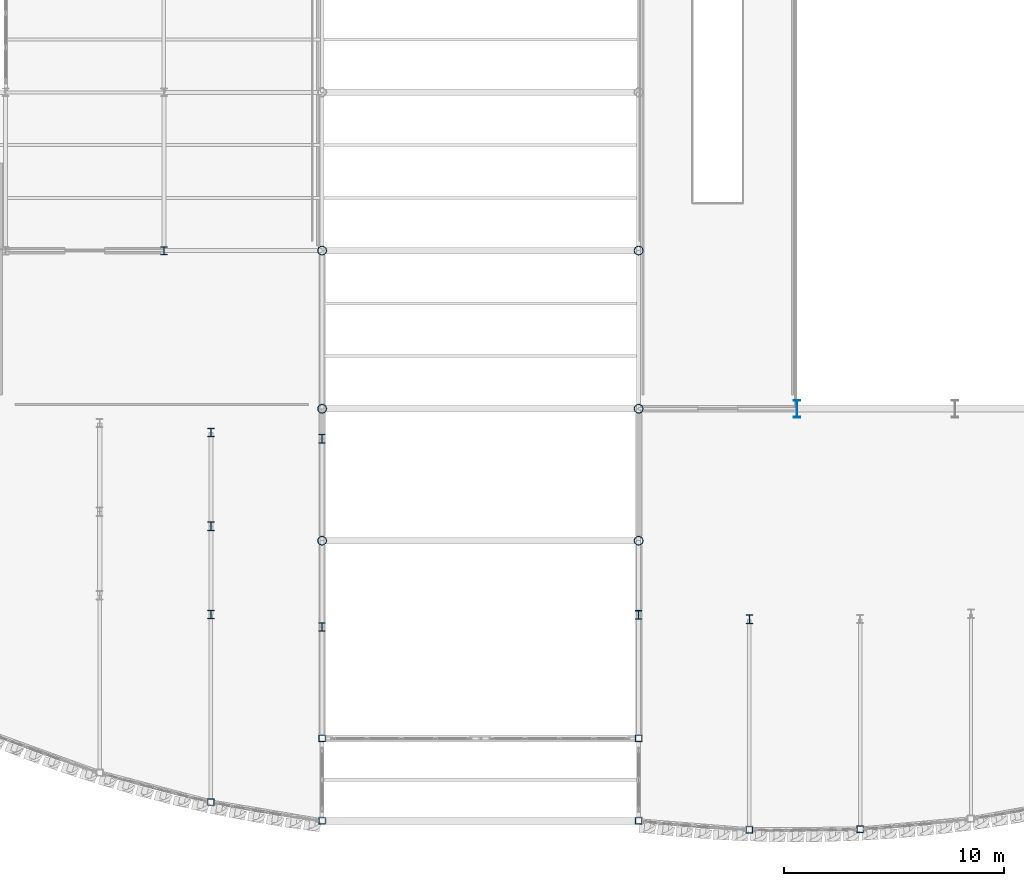
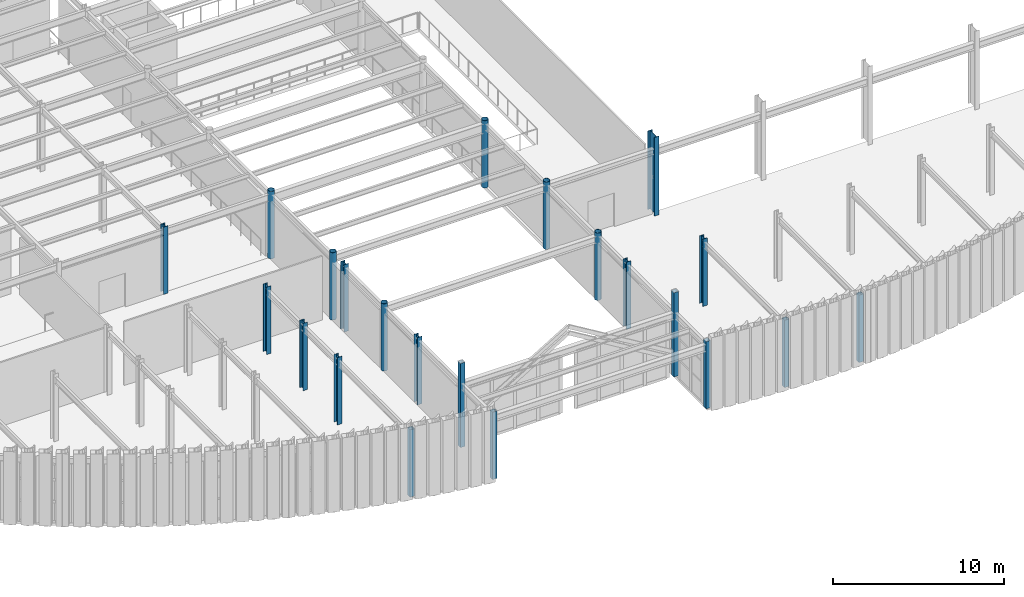
# One storey, part 4 of 126: 22 columns.
"""IFC4 building model written with IfcOpenShell, lengths in metres."""

from ifc_helpers import new_model, si_unit, direction, frame, origin, origin_2d, place, context, subcontext, project, spatial, hollow_rectangle, hollow_circle, i_section, extrude, material, material_profile, profile_set, type_object, element, save


model = new_model("IFC4")

# Units and contexts
model_context = context("Model", 3, precision=1e-05, world=origin(), true_north=direction((0.0, 1.0)))
body_context = subcontext(model_context, "Body", "Model", "MODEL_VIEW")
ifc_project = project(units=[si_unit("LENGTHUNIT", "METRE"), si_unit("AREAUNIT", "SQUARE_METRE"), si_unit("VOLUMEUNIT", "CUBIC_METRE"), si_unit("PLANEANGLEUNIT", "RADIAN"), si_unit("MASSUNIT", "GRAM", prefix="KILO")], contexts=[model_context])

# Site, building, storey
site_placement = place(None, origin())
site = spatial("IfcSite", under=ifc_project, at=site_placement, CompositionType="ELEMENT")
building_placement = place(site_placement, origin())
building = spatial("IfcBuilding", under=site, at=building_placement, Name="Solvadek Multi-Sports Hall", CompositionType="ELEMENT")
storey_placement = place(building_placement, frame((0.0, 0.0, 9.60009765625)))
storey = spatial("IfcBuildingStorey", under=building, at=storey_placement, Name="L02", CompositionType="ELEMENT", Elevation=9.60009765625)

# Columns
ifc_material = material(Name="Steel E350 (350 MPa)", Category="steel")
ifc_material_profile_1 = material_profile(ifc_material, hollow_circle(Radius=0.203125, WallThickness=0.01611328125, at=origin_2d()), Name="CHS 406.4x16")
ifc_profile_set_1 = profile_set([ifc_material_profile_1], Name="Steel E350 (350 MPa)")
column_type_1 = type_object("IfcColumnType", Name="STR-COL-CHS406", PredefinedType="COLUMN", material=ifc_profile_set_1)
for number, where, z_axis, x_axis, name in (
    (1, (72.0, 0.0, 0.0), (0.0, 0.0, 1.0), (1.0, 0.0, 0.0), "L02 Column C-11 #144"),
    (2, (72.0, 6.0, 0.0), (0.0, 0.0, 1.0), (1.0, 0.0, 0.0), "L02 Column C-11 #145"),
    (3, (72.0, 13.199951171875, 0.0), (0.0, 0.0, 1.0), (1.0, 0.0, 0.0), "L02 Column C-11 #146"),
    (4, (86.39990234375, 0.0, 0.0), (0.0, 0.0, 1.0), (1.0, 0.0, 0.0), "L02 Column C-11 #174"),
    (5, (86.39990234375, 6.0, 0.0), (0.0, 0.0, 1.0), (1.0, 0.0, 0.0), "L02 Column C-11 #175"),
    (6, (86.39990234375, 13.199951171875, 0.0), (0.0, 0.0, 1.0), (1.0, 0.0, 0.0), "L02 Column C-11 #176"),
):
    element("IfcColumn", number, at=place(storey_placement, frame(where, z_axis=z_axis, x_axis=x_axis)), inside=storey, type_object=column_type_1, Name=name, PredefinedType="COLUMN", context=body_context, shape_type="SweptSolid", body=[
        extrude(hollow_circle(Radius=0.203125, WallThickness=0.01611328125, at=origin_2d()), origin(), (0.0, 0.0, 1.0), 4.7998046875),
    ])
ifc_material_profile_2 = material_profile(ifc_material, hollow_rectangle(XDim=0.300048828125, YDim=0.300048828125, WallThickness=0.012451171875, at=origin_2d()), Name="SHS 300x300x12.5")
ifc_profile_set_2 = profile_set([ifc_material_profile_2], Name="Steel E350 (350 MPa)")
column_type_2 = type_object("IfcColumnType", Name="STR-COL-SHS300", PredefinedType="COLUMN", material=ifc_profile_set_2)
for number, where, z_axis, x_axis, name in (
    (7, (66.939453125, -11.893798828125, 0.0), (0.0, 0.0, 1.0), (1.0, 0.0, 0.0), "L02 Column C-10 #283"),
    (8, (72.0, -12.7529296875, 0.0), (0.0, 0.0, 1.0), (1.0, 0.0, 0.0), "L02 Column C-10 #287"),
    (9, (86.39990234375, -12.7529296875, 0.0), (0.0, 0.0, 1.0), (1.0, 0.0, 0.0), "L02 Column C-10 #290"),
    (10, (91.43994140625, -13.159912109375, 0.0), (0.0, 0.0, 1.0), (1.0, 0.0, 0.0), "L02 Column C-10 #292"),
    (11, (96.47998046875, -13.128662109375, 0.0), (0.0, 0.0, 1.0), (1.0, 0.0, 0.0), "L02 Column C-10 #294"),
):
    element("IfcColumn", number, at=place(storey_placement, frame(where, z_axis=z_axis, x_axis=x_axis)), inside=storey, type_object=column_type_2, Name=name, PredefinedType="COLUMN", context=body_context, shape_type="SweptSolid", body=[
        extrude(hollow_rectangle(XDim=0.300048828125, YDim=0.300048828125, WallThickness=0.012451171875, at=origin_2d()), origin(), (0.0, 0.0, 1.0), 4.7998046875),
    ])
for number, where, z_axis, x_axis, name in (
    (12, (72.0, -9.0, 0.0), (0.0, 0.0, 1.0), (1.0, 0.0, 0.0), "L02 Column C-10 #309"),
    (13, (86.39990234375, -9.0, 0.0), (0.0, 0.0, 1.0), (1.0, 0.0, 0.0), "L02 Column C-10 #311"),
):
    element("IfcColumn", number, at=place(storey_placement, frame(where, z_axis=z_axis, x_axis=x_axis)), inside=storey, type_object=column_type_2, Name=name, PredefinedType="COLUMN", context=body_context, shape_type="SweptSolid", body=[
        extrude(hollow_rectangle(XDim=0.300048828125, YDim=0.300048828125, WallThickness=0.012451171875, at=origin_2d()), origin(), (0.0, 0.0, 1.0), 6.0),
    ])
ifc_material_profile_3 = material_profile(ifc_material, i_section(OverallWidth=0.300048828125, OverallDepth=0.360107421875, WebThickness=0.012451171875, FlangeThickness=0.0224609375, at=origin_2d()), Name="WPB 360")
ifc_profile_set_3 = profile_set([ifc_material_profile_3], Name="Steel E350 (350 MPa)")
column_type_3 = type_object("IfcColumnType", Name="STR-COL-WPB360", PredefinedType="COLUMN", material=ifc_profile_set_3)
column_1_placement = place(storey_placement, frame((64.800048828125, 13.199951171875, 0.0), z_axis=(0.0, 0.0, 1.0), x_axis=(1.0, 0.0, 0.0)))
element("IfcColumn", 14, at=column_1_placement, inside=storey, type_object=column_type_3, Name="L02 Column C-08 #131", PredefinedType="COLUMN", context=body_context, shape_type="SweptSolid", body=[
    extrude(i_section(OverallWidth=0.300048828125, OverallDepth=0.360107421875, WebThickness=0.012451171875, FlangeThickness=0.0224609375, at=origin_2d()), origin(), (0.0, 0.0, 1.0), 4.7998046875),
])
ifc_material_profile_4 = material_profile(ifc_material, i_section(OverallWidth=0.300048828125, OverallDepth=0.39990234375, WebThickness=0.013427734375, FlangeThickness=0.02392578125, at=origin_2d()), Name="WPB 400")
ifc_profile_set_4 = profile_set([ifc_material_profile_4], Name="Steel E350 (350 MPa)")
column_type_4 = type_object("IfcColumnType", Name="STR-COL-WPB400", PredefinedType="COLUMN", material=ifc_profile_set_4)
for number, where, z_axis, x_axis, name in (
    (15, (66.939453125, 0.653076171875, 0.0), (0.0, 0.0, 1.0), (1.0, 0.0, 0.0), "L02 Column C-07 #284"),
    (16, (66.939453125, -3.362060546875, 0.0), (0.0, 0.0, 1.0), (1.0, 0.0, 0.0), "L02 Column C-07 #285"),
    (17, (66.939453125, 4.9189453125, 0.0), (0.0, 0.0, 1.0), (1.0, 0.0, 0.0), "L02 Column C-07 #286"),
    (18, (72.0, -3.928955078125, 0.0), (0.0, 0.0, 1.0), (1.0, 0.0, 0.0), "L02 Column C-07 #288"),
    (19, (72.0, 4.635498046875, 0.0), (0.0, 0.0, 1.0), (1.0, 0.0, 0.0), "L02 Column C-07 #289"),
    (20, (86.39990234375, -3.37646484375, 0.0), (0.0, 0.0, 1.0), (1.0, 0.0, 0.0), "L02 Column C-07 #291"),
    (21, (91.43994140625, -3.580078125, 0.0), (0.0, 0.0, 1.0), (1.0, 0.0, 0.0), "L02 Column C-07 #293"),
):
    element("IfcColumn", number, at=place(storey_placement, frame(where, z_axis=z_axis, x_axis=x_axis)), inside=storey, type_object=column_type_4, Name=name, PredefinedType="COLUMN", context=body_context, shape_type="SweptSolid", body=[
        extrude(i_section(OverallWidth=0.300048828125, OverallDepth=0.39990234375, WebThickness=0.013427734375, FlangeThickness=0.02392578125, at=origin_2d()), origin(), (0.0, 0.0, 1.0), 4.7998046875),
    ])
ifc_material_profile_5 = material_profile(ifc_material, i_section(OverallWidth=0.300048828125, OverallDepth=0.800048828125, WebThickness=0.017578125, FlangeThickness=0.032958984375, at=origin_2d()), Name="WPB 800")
ifc_profile_set_5 = profile_set([ifc_material_profile_5], Name="Steel E350 (350 MPa)")
column_type_5 = type_object("IfcColumnType", Name="STR-COL-WPB800", PredefinedType="COLUMN", material=ifc_profile_set_5)
column_2_placement = place(storey_placement, frame((93.60009765625, 6.0, 0.0), z_axis=(0.0, 0.0, 1.0), x_axis=(1.0, 0.0, 0.0)))
element("IfcColumn", 22, at=column_2_placement, inside=storey, type_object=column_type_5, Name="L02 Column C-01 #190", PredefinedType="COLUMN", context=body_context, shape_type="SweptSolid", body=[
    extrude(i_section(OverallWidth=0.300048828125, OverallDepth=0.800048828125, WebThickness=0.017578125, FlangeThickness=0.032958984375, at=origin_2d()), origin(), (0.0, 0.0, 1.0), 5.599853515625),
])

save(model, "model.ifc")
